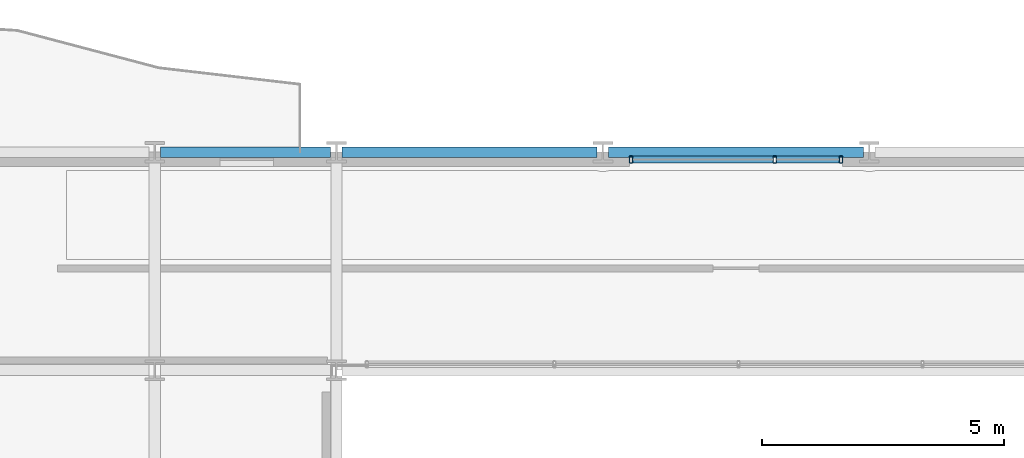
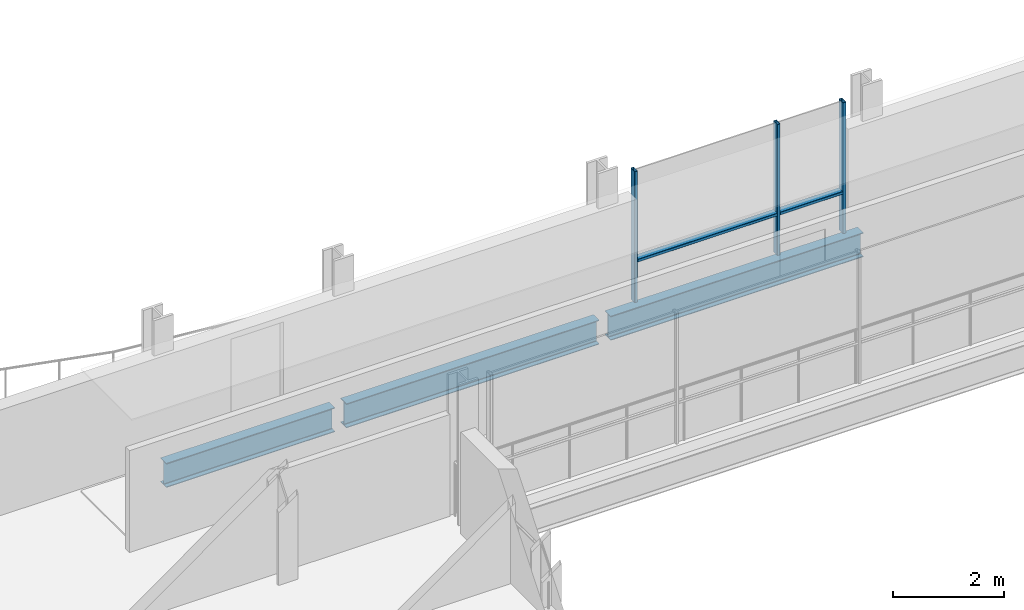
# One storey, part 22 of 41: 5 members, 3 beams, 1 element without a shape of its own.
"""IFC4 building model written with IfcOpenShell, lengths in metres."""

from ifc_helpers import new_model, si_unit, direction, frame, origin, origin_2d, place, context, subcontext, project, spatial, hollow_rectangle, i_section, extrude, material, layer, layer_set, material_profile, profile_set, type_object, element, aggregate, save


model = new_model("IFC4")

# Units and contexts
model_context = context("Model", 3, precision=1e-05, world=origin(), true_north=direction((0.0, 1.0)))
body_context = subcontext(model_context, "Body", "Model", "MODEL_VIEW")
ifc_project = project(units=[si_unit("LENGTHUNIT", "METRE"), si_unit("AREAUNIT", "SQUARE_METRE"), si_unit("VOLUMEUNIT", "CUBIC_METRE"), si_unit("PLANEANGLEUNIT", "RADIAN"), si_unit("MASSUNIT", "GRAM", prefix="KILO")], contexts=[model_context])

# Site, building, storey
site_placement = place(None, origin())
site = spatial("IfcSite", under=ifc_project, at=site_placement, CompositionType="ELEMENT")
building_placement = place(site_placement, origin())
building = spatial("IfcBuilding", under=site, at=building_placement, Name="Brevholm Reach", CompositionType="ELEMENT")
storey_placement = place(building_placement, frame((0.0, 0.0, 112.800048828125)))
storey = spatial("IfcBuildingStorey", under=building, at=storey_placement, Name="L33", CompositionType="ELEMENT", Elevation=112.800048828125)

# Beams
ifc_material_1 = material(Name="Structural Steel S355J2", Category="steel")
ifc_material_profile_1 = material_profile(ifc_material_1, i_section(OverallWidth=0.209228515625, OverallDepth=0.533203125, WebThickness=0.010009765625, FlangeThickness=0.015625, FilletRadius=0.0126953125, at=origin_2d()), Name="UKB 533x210x92")
ifc_profile_set_1 = profile_set([ifc_material_profile_1], Name="Structural Steel S355J2")
beam_type = type_object("IfcBeamType", Name="BM-SP533", PredefinedType="SPANDREL", material=ifc_profile_set_1)
beam_placement = place(storey_placement, frame((18.1201171875, 31.0, -0.486572265625), z_axis=(1.0, 0.0, 0.0), x_axis=(0.0, 1.0, 0.0)))
element("IfcBeam", 1, at=beam_placement, inside=storey, type_object=beam_type, Name="L33 SP-02 Framing Beam", PredefinedType="SPANDREL", context=body_context, shape_type="SweptSolid", body=[
    extrude(i_section(OverallWidth=0.209228515625, OverallDepth=0.533203125, WebThickness=0.010009765625, FlangeThickness=0.015625, FilletRadius=0.0126953125, at=origin_2d()), origin(), (0.0, 0.0, 1.0), 3.509765625),
])
for number, where, z_axis, x_axis, name in (
    (2, (21.8701171875, 31.0, -0.486572265625), (1.0, 0.0, 0.0), (0.0, 1.0, 0.0), "L33 SP-02 Framing Beam"),
    (3, (27.3701171875, 31.0, -0.486572265625), (1.0, 0.0, 0.0), (0.0, 1.0, 0.0), "L33 SP-02 Framing Beam"),
):
    element("IfcBeam", number, at=place(storey_placement, frame(where, z_axis=z_axis, x_axis=x_axis)), inside=storey, type_object=beam_type, Name=name, PredefinedType="SPANDREL", context=body_context, shape_type="SweptSolid", body=[
        extrude(i_section(OverallWidth=0.209228515625, OverallDepth=0.533203125, WebThickness=0.010009765625, FlangeThickness=0.015625, FilletRadius=0.0126953125, at=origin_2d()), origin(), (0.0, 0.0, 1.0), 5.259765625),
    ])

# Curtain wall, members
ifc_material_2 = material(Name="Dark Anodised Aluminium 6063-T6 and Solar-Control Glass", Category="aluminium")
ifc_layer = layer(ifc_material_2, 0.14990234375)
ifc_layer_set = layer_set([ifc_layer], Name="Dark Anodised Aluminium 6063-T6 and Solar-Control Glass")
curtain_wall_type = type_object("IfcCurtainWallType", Name="CW-01", PredefinedType="NOTDEFINED", material=ifc_layer_set)
curtain_wall_placement = place(storey_placement, origin())
curtain_wall = element("IfcCurtainWall", 4, at=curtain_wall_placement, inside=storey, type_object=curtain_wall_type, Name="L33 Curtain Wall CW-01", PredefinedType="NOTDEFINED")
ifc_material_3 = material(Name="Dark Anodised Aluminium 6063-T6", Category="aluminium")
ifc_material_profile_2 = material_profile(ifc_material_3, hollow_rectangle(XDim=0.06494140625, YDim=0.14990234375, WallThickness=0.0048828125, InnerFilletRadius=0.0048828125, OuterFilletRadius=0.010009765625, at=origin_2d()), Name="RHS 150x65x5")
ifc_profile_set_2 = profile_set([ifc_material_profile_2], Name="Dark Anodised Aluminium 6063-T6")
member_type_1 = type_object("IfcMemberType", Name="CWM-150", PredefinedType="MULLION", material=ifc_profile_set_2)
member_1_placement = place(storey_placement, frame((27.83251953125, 30.85009765625, 0.0), z_axis=(0.0, 0.0, 1.0), x_axis=(1.0, 0.0, 0.0)))
member_1 = element("IfcMember", 5, at=member_1_placement, type_object=member_type_1, Name="CM-150 Mullion 1", PredefinedType="MULLION", context=body_context, shape_type="SweptSolid", body=[
    extrude(hollow_rectangle(XDim=0.06494140625, YDim=0.14990234375, WallThickness=0.0048828125, InnerFilletRadius=0.0048828125, OuterFilletRadius=0.010009765625, at=origin_2d()), origin(), (0.0, 0.0, 1.0), 2.8798828125),
])
member_2_placement = place(storey_placement, frame((30.800048828125, 30.85009765625, 0.0), z_axis=(0.0, 0.0, 1.0), x_axis=(1.0, 0.0, 0.0)))
member_2 = element("IfcMember", 6, at=member_2_placement, type_object=member_type_1, Name="CM-150 Mullion 2", PredefinedType="MULLION", context=body_context, shape_type="SweptSolid", body=[
    extrude(hollow_rectangle(XDim=0.06494140625, YDim=0.14990234375, WallThickness=0.0048828125, InnerFilletRadius=0.0048828125, OuterFilletRadius=0.010009765625, at=origin_2d()), origin(), (0.0, 0.0, 1.0), 2.8798828125),
])
member_3_placement = place(storey_placement, frame((32.16748046875, 30.85009765625, 0.0), z_axis=(0.0, 0.0, 1.0), x_axis=(1.0, 0.0, 0.0)))
member_3 = element("IfcMember", 7, at=member_3_placement, type_object=member_type_1, Name="CM-150 Mullion 3", PredefinedType="MULLION", context=body_context, shape_type="SweptSolid", body=[
    extrude(hollow_rectangle(XDim=0.06494140625, YDim=0.14990234375, WallThickness=0.0048828125, InnerFilletRadius=0.0048828125, OuterFilletRadius=0.010009765625, at=origin_2d()), origin(), (0.0, 0.0, 1.0), 2.8798828125),
])
ifc_material_4 = material(Name="Dark Anodised Aluminium 6063-T6", Category="aluminium")
ifc_material_profile_3 = material_profile(ifc_material_4, hollow_rectangle(XDim=0.06494140625, YDim=0.14990234375, WallThickness=0.0048828125, InnerFilletRadius=0.0048828125, OuterFilletRadius=0.010009765625, at=origin_2d()), Name="RHS 150x65x5")
ifc_profile_set_3 = profile_set([ifc_material_profile_3], Name="Dark Anodised Aluminium 6063-T6")
member_type_2 = type_object("IfcMemberType", Name="CWT-150", PredefinedType="NOTDEFINED", material=ifc_profile_set_3)
member_4_placement = place(storey_placement, frame((27.864990234375, 30.85009765625, 0.89990234375), z_axis=(1.0, 0.0, 0.0), x_axis=(0.0, 0.0, 1.0)))
member_4 = element("IfcMember", 8, at=member_4_placement, type_object=member_type_2, Name="CT-150 Transom 1.1", ObjectType="TRANSOM", PredefinedType="USERDEFINED", context=body_context, shape_type="SweptSolid", body=[
    extrude(hollow_rectangle(XDim=0.06494140625, YDim=0.14990234375, WallThickness=0.0048828125, InnerFilletRadius=0.0048828125, OuterFilletRadius=0.010009765625, at=origin_2d()), origin(), (0.0, 0.0, 1.0), 2.902587890625),
])
member_5_placement = place(storey_placement, frame((30.83251953125, 30.85009765625, 0.89990234375), z_axis=(1.0, 0.0, 0.0), x_axis=(0.0, 0.0, 1.0)))
member_5 = element("IfcMember", 9, at=member_5_placement, type_object=member_type_2, Name="CT-150 Transom 2.1", ObjectType="TRANSOM", PredefinedType="USERDEFINED", context=body_context, shape_type="SweptSolid", body=[
    extrude(hollow_rectangle(XDim=0.06494140625, YDim=0.14990234375, WallThickness=0.0048828125, InnerFilletRadius=0.0048828125, OuterFilletRadius=0.010009765625, at=origin_2d()), origin(), (0.0, 0.0, 1.0), 1.302490234375),
])
aggregate(curtain_wall, [member_1, member_2, member_3, member_4, member_5])

save(model, "model.ifc")
